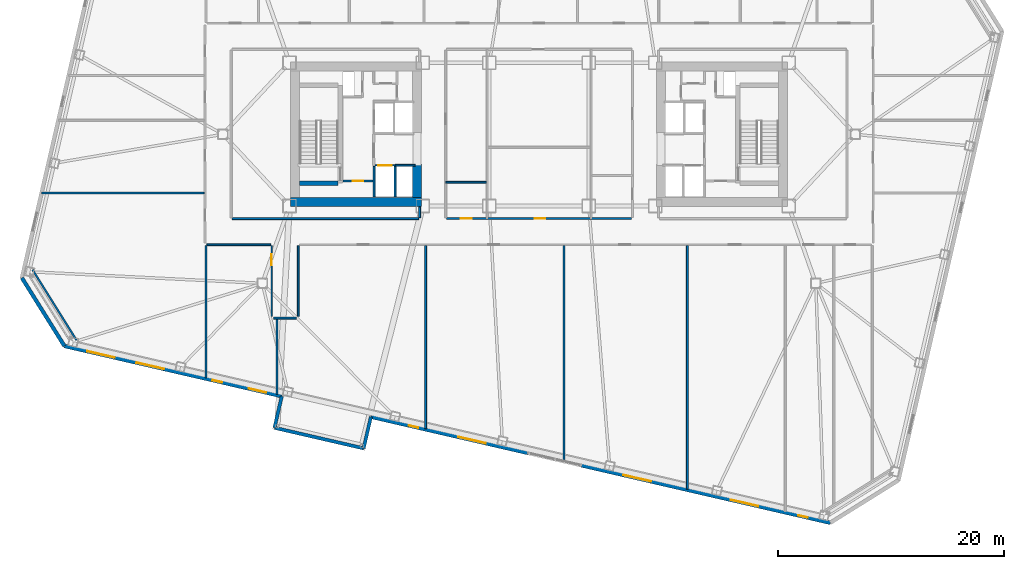
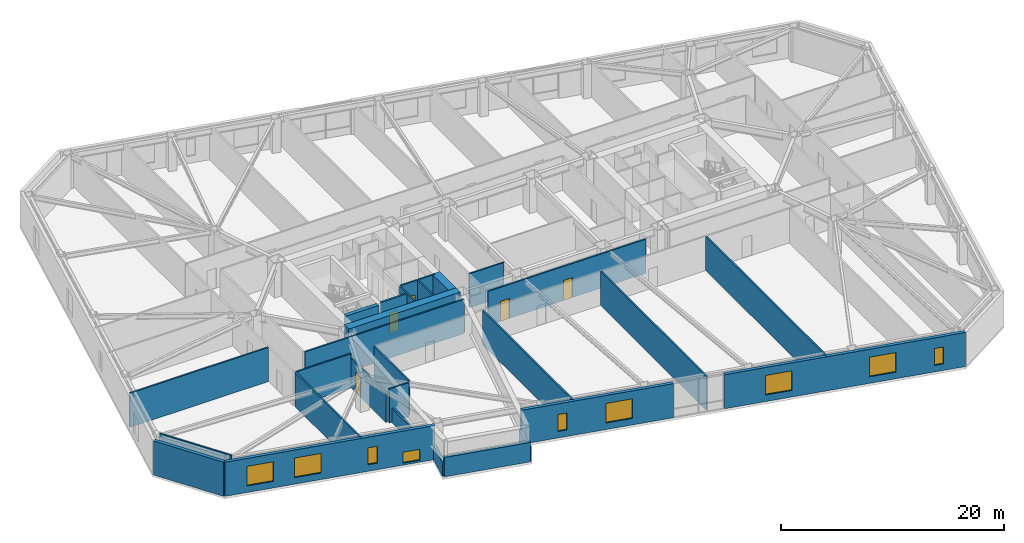
# One storey, part 8 of 18: 30 walls, 9 windows, 5 doors, 14 openings.
"""IFC4 building model written with IfcOpenShell, lengths in metres."""

from ifc_helpers import new_model, si_unit, direction, frame, frame_2d, origin, place, context, subcontext, project, spatial, rectangle, extrude, material, layer, layer_set, type_object, element, fill, save


model = new_model("IFC4")

# Units and contexts
model_context = context("Model", 3, precision=1e-05, world=origin(), true_north=direction((0.0, 1.0)))
body_context = subcontext(model_context, "Body", "Model", "MODEL_VIEW")
ifc_project = project(units=[si_unit("LENGTHUNIT", "METRE"), si_unit("AREAUNIT", "SQUARE_METRE"), si_unit("VOLUMEUNIT", "CUBIC_METRE"), si_unit("PLANEANGLEUNIT", "RADIAN"), si_unit("MASSUNIT", "GRAM", prefix="KILO")], contexts=[model_context])

# Site, building, storey
site_placement = place(None, origin())
site = spatial("IfcSite", under=ifc_project, at=site_placement, CompositionType="ELEMENT")
building_placement = place(site_placement, origin())
building = spatial("IfcBuilding", under=site, at=building_placement, Name="Tavrogorsk Clinical Tower", CompositionType="ELEMENT")
storey_placement = place(building_placement, frame((0.0, 0.0, 47.39990234375)))
storey = spatial("IfcBuildingStorey", under=building, at=storey_placement, Name="L09", CompositionType="ELEMENT", Elevation=47.39990234375)

# Wall, opening, door
ifc_material_1 = material(Name="Concrete B60", Category="concrete")
ifc_layer_1 = layer(ifc_material_1, 0.199951171875)
ifc_layer_set_1 = layer_set([ifc_layer_1], Name="Concrete B60")
wall_type_1 = type_object("IfcWallType", Name="CoreFireWall_200", PredefinedType="SOLIDWALL", material=ifc_layer_set_1)
wall_1_placement = place(storey_placement, frame((-17.3798828125, -4.139892578125, 0.0), z_axis=(0.0, 0.0, 1.0), x_axis=(1.0, 0.0, 0.0)))
wall_1 = element("IfcWall", 1, at=wall_1_placement, inside=storey, type_object=wall_type_1, Name="L09 Core West South Core Room Fire Wall", PredefinedType="SOLIDWALL", context=body_context, shape_type="SweptSolid", body=[
    extrude(rectangle(XDim=2.659912109375, YDim=0.199951171875, at=frame_2d((1.330078125, 0.0))), origin(), (0.0, 0.0, 1.0), 3.739990234375),
])
opening_1_placement = place(wall_1_placement, frame((0.8798828125, 0.0, 0.0)))
opening_1 = element("IfcOpeningElement", 2, at=opening_1_placement, cuts=wall_1, Name="Opening ID-02", PredefinedType="OPENING", context=body_context, shape_type="SweptSolid", body=[
    extrude(rectangle(XDim=0.949951171875, YDim=2.199951171875, at=frame_2d((0.47509765625, 1.10009765625))), frame((0.0, 0.10986328125, 0.0), z_axis=(0.0, -1.0, 0.0), x_axis=(1.0, 0.0, 0.0)), (0.0, 0.0, 1.0), 0.219970703125),
])
ifc_material_2 = material(Name="Laminated timber leaf on aluminium frame", Category="wood")
door_type_1 = type_object("IfcDoorType", Name="InteriorDoor_ID02_950", OperationType="NOTDEFINED", PredefinedType="DOOR", material=ifc_material_2)
door_1_placement = place(opening_1_placement, origin())
door_1 = element("IfcDoor", 3, at=door_1_placement, inside=storey, type_object=door_type_1, Name="L09 Core West South Core Room Door", OperationType="SINGLE_SWING_RIGHT", OverallHeight=2.199951171875, OverallWidth=0.949951171875, PredefinedType="DOOR", context=body_context, shape_type="SweptSolid", body=[
    extrude(rectangle(XDim=0.949951171875, YDim=2.199951171875, at=frame_2d((0.47509765625, 1.10009765625))), frame((0.0, 0.02490234375, 0.0), z_axis=(0.0, -1.0, 0.0), x_axis=(1.0, 0.0, 0.0)), (0.0, 0.0, 1.0), 0.050048828125),
])
fill(opening_1, door_1)

# Walls
ifc_material_3 = material(Name="Lightweight concrete blockwork B15", Category="masonry")
ifc_layer_2 = layer(ifc_material_3, 0.139892578125)
ifc_layer_set_2 = layer_set([ifc_layer_2], Name="Lightweight concrete blockwork B15")
wall_type_2 = type_object("IfcWallType", Name="PartitionWall_140", PredefinedType="PARTITIONING", material=ifc_layer_set_2)
wall_2_placement = place(storey_placement, frame((-8.264892578125, -4.25, 0.0), z_axis=(0.0, 0.0, 1.0), x_axis=(1.0, 0.0, 0.0)))
element("IfcWall", 4, at=wall_2_placement, inside=storey, type_object=wall_type_2, Name="L09 Central Spine Partition 4", PredefinedType="PARTITIONING", context=body_context, shape_type="SweptSolid", body=[
    extrude(rectangle(XDim=3.58984375, YDim=0.139892578125, at=frame_2d((1.794921875, 0.0))), origin(), (0.0, 0.0, 1.0), 3.739990234375),
])
ifc_material_4 = material(Name="Lightweight concrete blockwork B15", Category="masonry")
ifc_layer_3 = layer(ifc_material_4, 0.159912109375)
ifc_layer_set_3 = layer_set([ifc_layer_3], Name="Lightweight concrete blockwork B15")
wall_type_3 = type_object("IfcWallType", Name="PartitionWall_160", PredefinedType="PARTITIONING", material=ifc_layer_set_3)
wall_3_placement = place(storey_placement, frame((-44.85986328125, -11.9892578125, 0.0), z_axis=(0.0, 0.0, 1.0), x_axis=(0.52991239767, -0.848052386823, 0.0)))
element("IfcWall", 5, at=wall_3_placement, inside=storey, type_object=wall_type_3, Name="L09 Corner Exoskeleton Brace Furring Wall 4", PredefinedType="PARTITIONING", context=body_context, shape_type="SweptSolid", body=[
    extrude(rectangle(XDim=7.35400390625, YDim=0.159912109375, at=frame_2d((3.677001953125, 0.0))), origin(), (0.0, 0.0, 1.0), 3.739990234375),
])
wall_4_placement = place(storey_placement, frame((-23.764892578125, -9.780029296875, 0.0), z_axis=(0.0, 0.0, 1.0), x_axis=(-1.0, 0.0, 0.0)))
element("IfcWall", 6, at=wall_4_placement, inside=storey, type_object=wall_type_3, Name="L09 Corridor Partition 01", PredefinedType="PARTITIONING", context=body_context, shape_type="SweptSolid", body=[
    extrude(rectangle(XDim=5.650146484375, YDim=0.159912109375, at=frame_2d((2.8251953125, 0.0))), origin(), (0.0, 0.0, 1.0), 3.739990234375),
])
wall_5_placement = place(storey_placement, frame((-21.320068359375, -9.864990234375, 0.0), z_axis=(0.0, 0.0, 1.0), x_axis=(0.0, -1.0, 0.0)))
element("IfcWall", 7, at=wall_5_placement, inside=storey, type_object=wall_type_3, Name="L09 Corridor Partition 06", PredefinedType="PARTITIONING", context=body_context, shape_type="SweptSolid", body=[
    extrude(rectangle(XDim=6.25, YDim=0.159912109375, at=frame_2d((3.125, 0.0))), origin(), (0.0, 0.0, 1.0), 3.739990234375),
])
wall_6_placement = place(storey_placement, frame((-21.485107421875, -16.280029296875, 0.0), z_axis=(0.0, 0.0, 1.0), x_axis=(-1.0, 0.0, 0.0)))
element("IfcWall", 8, at=wall_6_placement, inside=storey, type_object=wall_type_3, Name="L09 Corridor Partition 07", PredefinedType="PARTITIONING", context=body_context, shape_type="SweptSolid", body=[
    extrude(rectangle(XDim=2.02978515625, YDim=0.159912109375, at=frame_2d((1.014892578125, 0.0))), origin(), (0.0, 0.0, 1.0), 3.739990234375),
])

# Wall, opening, door
wall_7_placement = place(storey_placement, frame((-23.679931640625, -16.114990234375, 0.0), z_axis=(0.0, 0.0, 1.0), x_axis=(0.0, 1.0, 0.0)))
wall_7 = element("IfcWall", 9, at=wall_7_placement, inside=storey, type_object=wall_type_3, Name="L09 Corridor Partition 08", PredefinedType="PARTITIONING", context=body_context, shape_type="SweptSolid", body=[
    extrude(rectangle(XDim=6.25, YDim=0.159912109375, at=frame_2d((3.125, 0.0))), origin(), (0.0, 0.0, 1.0), 3.235107421875),
])
opening_2_placement = place(wall_7_placement, frame((4.534912109375, 0.0, 0.0)))
opening_2 = element("IfcOpeningElement", 10, at=opening_2_placement, cuts=wall_7, Name="Opening ID-02", PredefinedType="OPENING", context=body_context, shape_type="SweptSolid", body=[
    extrude(rectangle(XDim=0.949951171875, YDim=2.199951171875, at=frame_2d((0.47509765625, 1.10009765625))), frame((0.0, 0.08984375, 0.0), z_axis=(0.0, -1.0, 0.0), x_axis=(1.0, 0.0, 0.0)), (0.0, 0.0, 1.0), 0.179931640625),
])
door_2_placement = place(opening_2_placement, origin())
door_2 = element("IfcDoor", 11, at=door_2_placement, inside=storey, type_object=door_type_1, Name="L09 South Nephrology Consultation Office 01 Door", OperationType="SINGLE_SWING_RIGHT", OverallHeight=2.199951171875, OverallWidth=0.949951171875, PredefinedType="DOOR", context=body_context, shape_type="SweptSolid", body=[
    extrude(rectangle(XDim=0.949951171875, YDim=2.199951171875, at=frame_2d((0.47509765625, 1.10009765625))), frame((0.0, 0.02490234375, 0.0), z_axis=(0.0, -1.0, 0.0), x_axis=(1.0, 0.0, 0.0)), (0.0, 0.0, 1.0), 0.050048828125),
])
fill(opening_2, door_2)

# Wall, openings, doors
wall_8_placement = place(storey_placement, frame((-8.18505859375, -7.469970703125, 0.0), z_axis=(0.0, 0.0, 1.0), x_axis=(1.0, 0.0, 0.0)))
wall_8 = element("IfcWall", 12, at=wall_8_placement, inside=storey, type_object=wall_type_3, Name="L09 Corridor Partition 16", PredefinedType="PARTITIONING", context=body_context, shape_type="SweptSolid", body=[
    extrude(rectangle(XDim=16.3701171875, YDim=0.159912109375, at=frame_2d((8.18505859375, 0.0))), origin(), (0.0, 0.0, 1.0), 3.739990234375),
])
opening_3_placement = place(wall_8_placement, frame((1.254150390625, 0.0, 0.0)))
opening_3 = element("IfcOpeningElement", 13, at=opening_3_placement, cuts=wall_8, Name="Opening ID-02", PredefinedType="OPENING", context=body_context, shape_type="SweptSolid", body=[
    extrude(rectangle(XDim=0.949951171875, YDim=2.199951171875, at=frame_2d((0.47509765625, 1.10009765625))), frame((0.0, 0.08984375, 0.0), z_axis=(0.0, -1.0, 0.0), x_axis=(1.0, 0.0, 0.0)), (0.0, 0.0, 1.0), 0.179931640625),
])
opening_4_placement = place(wall_8_placement, frame((7.794921875, 0.0, 0.0)))
opening_4 = element("IfcOpeningElement", 14, at=opening_4_placement, cuts=wall_8, Name="Opening ID-02", PredefinedType="OPENING", context=body_context, shape_type="SweptSolid", body=[
    extrude(rectangle(XDim=0.949951171875, YDim=2.199951171875, at=frame_2d((0.47509765625, 1.10009765625))), frame((0.0, 0.08984375, 0.0), z_axis=(0.0, -1.0, 0.0), x_axis=(1.0, 0.0, 0.0)), (0.0, 0.0, 1.0), 0.179931640625),
])
door_3_placement = place(opening_3_placement, origin())
door_3 = element("IfcDoor", 15, at=door_3_placement, inside=storey, type_object=door_type_1, Name="L09 Accessible Patient Lavatory Door", OperationType="SINGLE_SWING_LEFT", OverallHeight=2.199951171875, OverallWidth=0.949951171875, PredefinedType="DOOR", context=body_context, shape_type="SweptSolid", body=[
    extrude(rectangle(XDim=0.949951171875, YDim=2.199951171875, at=frame_2d((0.47509765625, 1.10009765625))), frame((0.0, 0.02490234375, 0.0), z_axis=(0.0, -1.0, 0.0), x_axis=(1.0, 0.0, 0.0)), (0.0, 0.0, 1.0), 0.050048828125),
])
fill(opening_3, door_3)
door_4_placement = place(opening_4_placement, origin())
door_4 = element("IfcDoor", 16, at=door_4_placement, inside=storey, type_object=door_type_1, Name="L09 Multidisciplinary Conference Room Door", OperationType="SINGLE_SWING_LEFT", OverallHeight=2.199951171875, OverallWidth=0.949951171875, PredefinedType="DOOR", context=body_context, shape_type="SweptSolid", body=[
    extrude(rectangle(XDim=0.949951171875, YDim=2.199951171875, at=frame_2d((0.47509765625, 1.10009765625))), frame((0.0, 0.02490234375, 0.0), z_axis=(0.0, -1.0, 0.0), x_axis=(1.0, 0.0, 0.0)), (0.0, 0.0, 1.0), 0.050048828125),
])
fill(opening_4, door_4)

# Walls
wall_9_placement = place(storey_placement, frame((-10.580078125, -7.385009765625, 0.0), z_axis=(0.0, 0.0, 1.0), x_axis=(0.0, 1.0, 0.0)))
element("IfcWall", 17, at=wall_9_placement, inside=storey, type_object=wall_type_3, Name="L09 Corridor Partition 18", PredefinedType="PARTITIONING", context=body_context, shape_type="SweptSolid", body=[
    extrude(rectangle(XDim=0.965087890625, YDim=0.159912109375, at=frame_2d((0.482421875, 0.0))), origin(), (0.0, 0.0, 1.0), 1.53515625),
])
wall_10_placement = place(storey_placement, frame((-27.18505859375, -7.469970703125, 0.0), z_axis=(0.0, 0.0, 1.0), x_axis=(1.0, 0.0, 0.0)))
element("IfcWall", 18, at=wall_10_placement, inside=storey, type_object=wall_type_3, Name="L09 Corridor Partition 22", PredefinedType="PARTITIONING", context=body_context, shape_type="SweptSolid", body=[
    extrude(rectangle(XDim=16.52001953125, YDim=0.159912109375, at=frame_2d((8.260009765625, 0.0))), origin(), (0.0, 0.0, 1.0), 3.739990234375),
])
wall_11_placement = place(storey_placement, frame((-29.5, -21.570556640625, 0.0), z_axis=(0.0, 0.0, 1.0), x_axis=(0.0, 1.0, 0.0)))
element("IfcWall", 19, at=wall_11_placement, inside=storey, type_object=wall_type_3, Name="L09 SW Wing Closure Partition", PredefinedType="PARTITIONING", context=body_context, shape_type="SweptSolid", body=[
    extrude(rectangle(XDim=11.70556640625, YDim=0.159912109375, at=frame_2d((5.852783203125, 0.0))), origin(), (0.0, 0.0, 1.0), 3.739990234375),
])
wall_12_placement = place(storey_placement, frame((-23.199951171875, -23.02490234375, 0.0), z_axis=(0.0, 0.0, 1.0), x_axis=(0.0, 1.0, 0.0)))
element("IfcWall", 20, at=wall_12_placement, inside=storey, type_object=wall_type_3, Name="L09 South Room Partition 1", PredefinedType="PARTITIONING", context=body_context, shape_type="SweptSolid", body=[
    extrude(rectangle(XDim=6.739990234375, YDim=0.159912109375, at=frame_2d((3.3701171875, 0.0))), origin(), (0.0, 0.0, 1.0), 1.53515625),
])
wall_13_placement = place(storey_placement, frame((2.199951171875, -28.88916015625, 0.0), z_axis=(0.0, 0.0, 1.0), x_axis=(0.0, 1.0, 0.0)))
element("IfcWall", 21, at=wall_13_placement, inside=storey, type_object=wall_type_3, Name="L09 South Room Partition 2", PredefinedType="PARTITIONING", context=body_context, shape_type="SweptSolid", body=[
    extrude(rectangle(XDim=19.024169921875, YDim=0.159912109375, at=frame_2d((9.51220703125, 0.0))), origin(), (0.0, 0.0, 1.0), 3.739990234375),
])
wall_14_placement = place(storey_placement, frame((-10.050048828125, -26.060791015625, 0.0), z_axis=(0.0, 0.0, 1.0), x_axis=(0.0, 1.0, 0.0)))
element("IfcWall", 22, at=wall_14_placement, inside=storey, type_object=wall_type_3, Name="L09 South Sub-Partition 2", PredefinedType="PARTITIONING", context=body_context, shape_type="SweptSolid", body=[
    extrude(rectangle(XDim=16.19580078125, YDim=0.159912109375, at=frame_2d((8.097900390625, 0.0))), origin(), (0.0, 0.0, 1.0), 3.739990234375),
])
wall_15_placement = place(storey_placement, frame((13.1298828125, -31.41259765625, 0.0), z_axis=(0.0, 0.0, 1.0), x_axis=(0.0, 1.0, 0.0)))
element("IfcWall", 23, at=wall_15_placement, inside=storey, type_object=wall_type_3, Name="L09 South Sub-Partition 3", PredefinedType="PARTITIONING", context=body_context, shape_type="SweptSolid", body=[
    extrude(rectangle(XDim=21.547607421875, YDim=0.159912109375, at=frame_2d((10.77392578125, 0.0))), origin(), (0.0, 0.0, 1.0), 3.739990234375),
])
wall_16_placement = place(storey_placement, frame((-44.0419921875, -5.199951171875, 0.0), z_axis=(0.0, 0.0, 1.0), x_axis=(1.0, 0.0, 0.0)))
element("IfcWall", 24, at=wall_16_placement, inside=storey, type_object=wall_type_3, Name="L09 W Wing Divider 1", PredefinedType="PARTITIONING", context=body_context, shape_type="SweptSolid", body=[
    extrude(rectangle(XDim=14.376953125, YDim=0.159912109375, at=frame_2d((7.1884765625, 0.0))), origin(), (0.0, 0.0, 1.0), 3.739990234375),
])

# Wall, openings, windows
ifc_material_5 = material(Name="Precast concrete B45 with limestone cladding", Category="masonry")
ifc_layer_4 = layer(ifc_material_5, 0.340087890625)
ifc_layer_set_4 = layer_set([ifc_layer_4], Name="Precast concrete B45 with limestone cladding")
wall_type_4 = type_object("IfcWallType", Name="PrecastLimestoneWall_340", PredefinedType="STANDARD", material=ifc_layer_set_4)
wall_17_placement = place(storey_placement, frame((-42.028564453125, -18.75, 0.0), z_axis=(0.0, 0.0, 1.0), x_axis=(0.974371399361, -0.224945273581, 0.0)))
wall_17 = element("IfcWall", 25, at=wall_17_placement, inside=storey, type_object=wall_type_4, Name="L09 S Limestone Facade Wall 1", PredefinedType="STANDARD", context=body_context, shape_type="SweptSolid", body=[
    extrude(rectangle(XDim=19.749755859375, YDim=0.340087890625, at=frame_2d((9.875, 0.0))), origin(), (0.0, 0.0, 1.0), 3.739990234375),
])
opening_5_placement = place(wall_17_placement, frame((2.06201171875, 0.0, 0.719970703125)))
opening_5 = element("IfcOpeningElement", 26, at=opening_5_placement, cuts=wall_17, Name="Opening WN-11", PredefinedType="OPENING", context=body_context, shape_type="SweptSolid", body=[
    extrude(rectangle(XDim=2.5, YDim=2.14990234375, at=frame_2d((1.25, 1.074951171875))), frame((0.0, 0.179931640625, 0.0), z_axis=(0.0, -1.0, 0.0), x_axis=(1.0, 0.0, 0.0)), (0.0, 0.0, 1.0), 0.360107421875),
])
opening_6_placement = place(wall_17_placement, frame((6.54638671875, 0.0, 0.719970703125)))
opening_6 = element("IfcOpeningElement", 27, at=opening_6_placement, cuts=wall_17, Name="Opening WN-11", PredefinedType="OPENING", context=body_context, shape_type="SweptSolid", body=[
    extrude(rectangle(XDim=2.5, YDim=2.14990234375, at=frame_2d((1.25, 1.074951171875))), frame((0.0, 0.179931640625, 0.0), z_axis=(0.0, -1.0, 0.0), x_axis=(1.0, 0.0, 0.0)), (0.0, 0.0, 1.0), 0.360107421875),
])
opening_7_placement = place(wall_17_placement, frame((13.460693359375, 0.0, 0.719970703125)))
opening_7 = element("IfcOpeningElement", 28, at=opening_7_placement, cuts=wall_17, Name="Opening WN-06", PredefinedType="OPENING", context=body_context, shape_type="SweptSolid", body=[
    extrude(rectangle(XDim=0.85009765625, YDim=1.85009765625, at=frame_2d((0.425048828125, 0.925048828125))), frame((0.0, 0.179931640625, 0.0), z_axis=(0.0, -1.0, 0.0), x_axis=(1.0, 0.0, 0.0)), (0.0, 0.0, 1.0), 0.360107421875),
])
opening_8_placement = place(wall_17_placement, frame((16.7451171875, 0.0, 0.219970703125)))
opening_8 = element("IfcOpeningElement", 29, at=opening_8_placement, cuts=wall_17, Name="Opening WN-09", PredefinedType="OPENING", context=body_context, shape_type="SweptSolid", body=[
    extrude(rectangle(XDim=1.60009765625, YDim=1.199951171875, at=frame_2d((0.800048828125, 0.60009765625))), frame((0.0, 0.179931640625, 0.0), z_axis=(0.0, -1.0, 0.0), x_axis=(1.0, 0.0, 0.0)), (0.0, 0.0, 1.0), 0.360107421875),
])
ifc_material_6 = material(Name="Thermally broken aluminium frame and triple IGU", Category="aluminium")
window_type_1 = type_object("IfcWindowType", Name="LowHeadTransWin_1600x1200", PartitioningType="DOUBLE_PANEL_VERTICAL", PredefinedType="WINDOW", material=ifc_material_6)
window_1_placement = place(opening_8_placement, origin())
window_1 = element("IfcWindow", 30, at=window_1_placement, inside=storey, type_object=window_type_1, Name="L09 S Chicago Window 04", OverallHeight=1.199951171875, OverallWidth=1.60009765625, PartitioningType="SINGLE_PANEL", PredefinedType="WINDOW", context=body_context, shape_type="SweptSolid", body=[
    extrude(rectangle(XDim=1.60009765625, YDim=1.199951171875, at=frame_2d((0.800048828125, 0.60009765625))), frame((0.0, 0.030029296875, 0.0), z_axis=(0.0, -1.0, 0.0), x_axis=(1.0, 0.0, 0.0)), (0.0, 0.0, 1.0), 0.06005859375),
])
fill(opening_8, window_1)
ifc_material_7 = material(Name="Thermally broken aluminium frame and triple IGU", Category="aluminium")
window_type_2 = type_object("IfcWindowType", Name="MullionSubWin_850x1850", PartitioningType="SINGLE_PANEL", PredefinedType="WINDOW", material=ifc_material_7)
window_2_placement = place(opening_7_placement, origin())
window_2 = element("IfcWindow", 31, at=window_2_placement, inside=storey, type_object=window_type_2, Name="L09 S Mullion Split Window 03B", OverallHeight=1.85009765625, OverallWidth=0.85009765625, PartitioningType="SINGLE_PANEL", PredefinedType="WINDOW", context=body_context, shape_type="SweptSolid", body=[
    extrude(rectangle(XDim=0.85009765625, YDim=1.85009765625, at=frame_2d((0.425048828125, 0.925048828125))), frame((0.0, 0.030029296875, 0.0), z_axis=(0.0, -1.0, 0.0), x_axis=(1.0, 0.0, 0.0)), (0.0, 0.0, 1.0), 0.06005859375),
])
fill(opening_7, window_2)
ifc_material_8 = material(Name="Thermally broken aluminium frame and triple IGU", Category="aluminium")
window_type_3 = type_object("IfcWindowType", Name="StepDownWin_2500x2150", PartitioningType="TRIPLE_PANEL_HORIZONTAL", PredefinedType="WINDOW", material=ifc_material_8)
window_3_placement = place(opening_5_placement, origin())
window_3 = element("IfcWindow", 32, at=window_3_placement, inside=storey, type_object=window_type_3, Name="L09 S Chicago Window 01", OverallHeight=2.14990234375, OverallWidth=2.5, PartitioningType="SINGLE_PANEL", PredefinedType="WINDOW", context=body_context, shape_type="SweptSolid", body=[
    extrude(rectangle(XDim=2.5, YDim=2.14990234375, at=frame_2d((1.25, 1.074951171875))), frame((0.0, 0.030029296875, 0.0), z_axis=(0.0, -1.0, 0.0), x_axis=(1.0, 0.0, 0.0)), (0.0, 0.0, 1.0), 0.06005859375),
])
fill(opening_5, window_3)
window_4_placement = place(opening_6_placement, origin())
window_4 = element("IfcWindow", 33, at=window_4_placement, inside=storey, type_object=window_type_3, Name="L09 S Chicago Window 02", OverallHeight=2.14990234375, OverallWidth=2.5, PartitioningType="SINGLE_PANEL", PredefinedType="WINDOW", context=body_context, shape_type="SweptSolid", body=[
    extrude(rectangle(XDim=2.5, YDim=2.14990234375, at=frame_2d((1.25, 1.074951171875))), frame((0.0, 0.030029296875, 0.0), z_axis=(0.0, -1.0, 0.0), x_axis=(1.0, 0.0, 0.0)), (0.0, 0.0, 1.0), 0.06005859375),
])
fill(opening_6, window_4)

wall_18_placement = place(storey_placement, frame((-14.892333984375, -25.014892578125, 0.0), z_axis=(0.0, 0.0, 1.0), x_axis=(0.974372775, -0.224939314791, 0.0)))
wall_18 = element("IfcWall", 34, at=wall_18_placement, inside=storey, type_object=wall_type_4, Name="L09 S Limestone Facade Wall 2", PredefinedType="STANDARD", context=body_context, shape_type="SweptSolid", body=[
    extrude(rectangle(XDim=14.298583984375, YDim=0.340087890625, at=frame_2d((7.1494140625, 0.0))), origin(), (0.0, 0.0, 1.0), 3.739990234375),
])
opening_9_placement = place(wall_18_placement, frame((3.457763671875, 0.0, 0.719970703125)))
opening_9 = element("IfcOpeningElement", 35, at=opening_9_placement, cuts=wall_18, Name="Opening WN-06", PredefinedType="OPENING", context=body_context, shape_type="SweptSolid", body=[
    extrude(rectangle(XDim=0.85009765625, YDim=1.85009765625, at=frame_2d((0.425048828125, 0.925048828125))), frame((0.0, 0.179931640625, 0.0), z_axis=(0.0, -1.0, 0.0), x_axis=(1.0, 0.0, 0.0)), (0.0, 0.0, 1.0), 0.360107421875),
])
opening_10_placement = place(wall_18_placement, frame((7.942138671875, 0.0, 0.719970703125)))
opening_10 = element("IfcOpeningElement", 36, at=opening_10_placement, cuts=wall_18, Name="Opening WN-11", PredefinedType="OPENING", context=body_context, shape_type="SweptSolid", body=[
    extrude(rectangle(XDim=2.5, YDim=2.14990234375, at=frame_2d((1.25, 1.074951171875))), frame((0.0, 0.179931640625, 0.0), z_axis=(0.0, -1.0, 0.0), x_axis=(1.0, 0.0, 0.0)), (0.0, 0.0, 1.0), 0.360107421875),
])
window_5_placement = place(opening_9_placement, origin())
window_5 = element("IfcWindow", 37, at=window_5_placement, inside=storey, type_object=window_type_2, Name="L09 S Mullion Split Window 05A", OverallHeight=1.85009765625, OverallWidth=0.85009765625, PartitioningType="SINGLE_PANEL", PredefinedType="WINDOW", context=body_context, shape_type="SweptSolid", body=[
    extrude(rectangle(XDim=0.85009765625, YDim=1.85009765625, at=frame_2d((0.425048828125, 0.925048828125))), frame((0.0, 0.030029296875, 0.0), z_axis=(0.0, -1.0, 0.0), x_axis=(1.0, 0.0, 0.0)), (0.0, 0.0, 1.0), 0.06005859375),
])
fill(opening_9, window_5)
window_6_placement = place(opening_10_placement, origin())
window_6 = element("IfcWindow", 38, at=window_6_placement, inside=storey, type_object=window_type_3, Name="L09 S Chicago Window 06", OverallHeight=2.14990234375, OverallWidth=2.5, PartitioningType="SINGLE_PANEL", PredefinedType="WINDOW", context=body_context, shape_type="SweptSolid", body=[
    extrude(rectangle(XDim=2.5, YDim=2.14990234375, at=frame_2d((1.25, 1.074951171875))), frame((0.0, 0.030029296875, 0.0), z_axis=(0.0, -1.0, 0.0), x_axis=(1.0, 0.0, 0.0)), (0.0, 0.0, 1.0), 0.06005859375),
])
fill(opening_10, window_6)

wall_19_placement = place(storey_placement, frame((3.716796875, -29.31103515625, 0.0), z_axis=(0.0, 0.0, 1.0), x_axis=(0.97436993772, -0.224951604723, 0.0)))
wall_19 = element("IfcWall", 39, at=wall_19_placement, inside=storey, type_object=wall_type_4, Name="L09 S Limestone Facade Wall 3", PredefinedType="STANDARD", context=body_context, shape_type="SweptSolid", body=[
    extrude(rectangle(XDim=22.6513671875, YDim=0.340087890625, at=frame_2d((11.32568359375, 0.0))), origin(), (0.0, 0.0, 1.0), 3.739990234375),
])
opening_11_placement = place(wall_19_placement, frame((3.8564453125, 0.0, 0.719970703125)))
opening_11 = element("IfcOpeningElement", 40, at=opening_11_placement, cuts=wall_19, Name="Opening WN-11", PredefinedType="OPENING", context=body_context, shape_type="SweptSolid", body=[
    extrude(rectangle(XDim=2.5, YDim=2.14990234375, at=frame_2d((1.25, 1.074951171875))), frame((0.0, 0.179931640625, 0.0), z_axis=(0.0, -1.0, 0.0), x_axis=(1.0, 0.0, 0.0)), (0.0, 0.0, 1.0), 0.360107421875),
])
opening_12_placement = place(wall_19_placement, frame((13.60498046875, 0.0, 0.719970703125)))
opening_12 = element("IfcOpeningElement", 41, at=opening_12_placement, cuts=wall_19, Name="Opening WN-11", PredefinedType="OPENING", context=body_context, shape_type="SweptSolid", body=[
    extrude(rectangle(XDim=2.5, YDim=2.14990234375, at=frame_2d((1.25, 1.074951171875))), frame((0.0, 0.179931640625, 0.0), z_axis=(0.0, -1.0, 0.0), x_axis=(1.0, 0.0, 0.0)), (0.0, 0.0, 1.0), 0.360107421875),
])
opening_13_placement = place(wall_19_placement, frame((19.7392578125, 0.0, 0.719970703125)))
opening_13 = element("IfcOpeningElement", 42, at=opening_13_placement, cuts=wall_19, Name="Opening WN-06", PredefinedType="OPENING", context=body_context, shape_type="SweptSolid", body=[
    extrude(rectangle(XDim=0.85009765625, YDim=1.85009765625, at=frame_2d((0.425048828125, 0.925048828125))), frame((0.0, 0.179931640625, 0.0), z_axis=(0.0, -1.0, 0.0), x_axis=(1.0, 0.0, 0.0)), (0.0, 0.0, 1.0), 0.360107421875),
])
window_7_placement = place(opening_13_placement, origin())
window_7 = element("IfcWindow", 43, at=window_7_placement, inside=storey, type_object=window_type_2, Name="L09 S Mullion Split Window 10B", OverallHeight=1.85009765625, OverallWidth=0.85009765625, PartitioningType="SINGLE_PANEL", PredefinedType="WINDOW", context=body_context, shape_type="SweptSolid", body=[
    extrude(rectangle(XDim=0.85009765625, YDim=1.85009765625, at=frame_2d((0.425048828125, 0.925048828125))), frame((0.0, 0.030029296875, 0.0), z_axis=(0.0, -1.0, 0.0), x_axis=(1.0, 0.0, 0.0)), (0.0, 0.0, 1.0), 0.06005859375),
])
fill(opening_13, window_7)
window_8_placement = place(opening_11_placement, origin())
window_8 = element("IfcWindow", 44, at=window_8_placement, inside=storey, type_object=window_type_3, Name="L09 S Chicago Window 07", OverallHeight=2.14990234375, OverallWidth=2.5, PartitioningType="SINGLE_PANEL", PredefinedType="WINDOW", context=body_context, shape_type="SweptSolid", body=[
    extrude(rectangle(XDim=2.5, YDim=2.14990234375, at=frame_2d((1.25, 1.074951171875))), frame((0.0, 0.030029296875, 0.0), z_axis=(0.0, -1.0, 0.0), x_axis=(1.0, 0.0, 0.0)), (0.0, 0.0, 1.0), 0.06005859375),
])
fill(opening_11, window_8)
window_9_placement = place(opening_12_placement, origin())
window_9 = element("IfcWindow", 45, at=window_9_placement, inside=storey, type_object=window_type_3, Name="L09 S Chicago Window 09", OverallHeight=2.14990234375, OverallWidth=2.5, PartitioningType="SINGLE_PANEL", PredefinedType="WINDOW", context=body_context, shape_type="SweptSolid", body=[
    extrude(rectangle(XDim=2.5, YDim=2.14990234375, at=frame_2d((1.25, 1.074951171875))), frame((0.0, 0.030029296875, 0.0), z_axis=(0.0, -1.0, 0.0), x_axis=(1.0, 0.0, 0.0)), (0.0, 0.0, 1.0), 0.06005859375),
])
fill(opening_12, window_9)

# Walls
wall_20_placement = place(storey_placement, frame((-45.798095703125, -12.71728515625, 0.0), z_axis=(0.0, 0.0, 1.0), x_axis=(0.529906387556, -0.848056142261, 0.0)))
element("IfcWall", 46, at=wall_20_placement, inside=storey, type_object=wall_type_4, Name="L09 Chamfered Corner Wall 4", PredefinedType="STANDARD", context=body_context, shape_type="SweptSolid", body=[
    extrude(rectangle(XDim=7.113525390625, YDim=0.340087890625, at=frame_2d((3.556640625, 0.0))), origin(), (0.0, 0.0, 1.0), 3.739990234375),
])
wall_21_placement = place(storey_placement, frame((-23.430419921875, -25.9892578125, 0.0), z_axis=(0.0, 0.0, 1.0), x_axis=(0.974371888243, -0.224943155936, 0.0)))
element("IfcWall", 47, at=wall_21_placement, inside=storey, type_object=wall_type_4, Name="L09 Day-Room Limestone Front DRB-01", PredefinedType="STANDARD", context=body_context, shape_type="SweptSolid", body=[
    extrude(rectangle(XDim=8.099853515625, YDim=0.300048828125, at=frame_2d((4.0498046875, 0.0))), origin(), (0.0, 0.0, 1.0), 2.135009765625),
])

# Wall, opening, door
ifc_material_9 = material(Name="Lightweight concrete blockwork B25", Category="masonry")
ifc_layer_5 = layer(ifc_material_9, 0.159912109375)
ifc_layer_set_5 = layer_set([ifc_layer_5], Name="Lightweight concrete blockwork B25")
wall_type_5 = type_object("IfcWallType", Name="ShaftWall_160", PredefinedType="PARTITIONING", material=ifc_layer_set_5)
wall_22_placement = place(storey_placement, frame((-14.530029296875, -2.75, 0.0), z_axis=(0.0, 0.0, 1.0), x_axis=(1.0, 0.0, 0.0)))
wall_22 = element("IfcWall", 48, at=wall_22_placement, inside=storey, type_object=wall_type_5, Name="L09 LP-L1 Lift Shaft Portal Wall", PredefinedType="PARTITIONING", context=body_context, shape_type="SweptSolid", body=[
    extrude(rectangle(XDim=1.760009765625, YDim=0.159912109375, at=frame_2d((0.8798828125, 0.0))), origin(), (0.0, 0.0, 1.0), 3.739990234375),
])
opening_14_placement = place(wall_22_placement, frame((0.280029296875, 0.0, 0.0)))
opening_14 = element("IfcOpeningElement", 49, at=opening_14_placement, cuts=wall_22, Name="Opening LD", PredefinedType="OPENING", context=body_context, shape_type="SweptSolid", body=[
    extrude(rectangle(XDim=1.199951171875, YDim=2.199951171875, at=frame_2d((0.60009765625, 1.10009765625))), frame((0.0, 0.08984375, 0.0), z_axis=(0.0, -1.0, 0.0), x_axis=(1.0, 0.0, 0.0)), (0.0, 0.0, 1.0), 0.179931640625),
])
ifc_material_10 = material(Name="Brushed stainless steel AISI 304 sliding doors", Category="steel")
door_type_2 = type_object("IfcDoorType", Name="LiftLandingDoor_LD_1200", OperationType="SLIDING_TO_LEFT", PredefinedType="DOOR", material=ifc_material_10)
door_5_placement = place(opening_14_placement, origin())
door_5 = element("IfcDoor", 50, at=door_5_placement, inside=storey, type_object=door_type_2, Name="L09 LP-L1 Sliding Lift Landing Door", OperationType="SLIDING_TO_LEFT", OverallHeight=2.199951171875, OverallWidth=1.199951171875, PredefinedType="DOOR", context=body_context, shape_type="SweptSolid", body=[
    extrude(rectangle(XDim=1.199951171875, YDim=2.199951171875, at=frame_2d((0.60009765625, 1.10009765625))), frame((0.0, 0.02490234375, 0.0), z_axis=(0.0, -1.0, 0.0), x_axis=(1.0, 0.0, 0.0)), (0.0, 0.0, 1.0), 0.050048828125),
])
fill(opening_14, door_5)

# Walls
for number, where, z_axis, x_axis, name in (
    (51, (-12.75, -5.5400390625, 0.0), (0.0, 0.0, 1.0), (0.0, 1.0, 0.0), "L09 LP-L1 Lift Hoistway Divider Wall"),
    (52, (-14.610107421875, -5.5400390625, 0.0), (0.0, 0.0, 1.0), (0.0, 1.0, 0.0), "L09 LP-L1 Lift Hoistway Outer Cheek Wall"),
):
    element("IfcWall", number, at=place(storey_placement, frame(where, z_axis=z_axis, x_axis=x_axis)), inside=storey, type_object=wall_type_5, Name=name, PredefinedType="PARTITIONING", context=body_context, shape_type="SweptSolid", body=[
        extrude(rectangle(XDim=2.699951171875, YDim=0.159912109375, at=frame_2d((1.35009765625, 0.0))), origin(), (0.0, 0.0, 1.0), 3.739990234375),
    ])
wall_23_placement = place(storey_placement, frame((-12.72998046875, -2.75, 0.0), z_axis=(0.0, 0.0, 1.0), x_axis=(1.0, 0.0, 0.0)))
element("IfcWall", 53, at=wall_23_placement, inside=storey, type_object=wall_type_5, Name="L09 LP-M1 Lift Shaft Portal Wall", PredefinedType="PARTITIONING", context=body_context, shape_type="SweptSolid", body=[
    extrude(rectangle(XDim=1.760009765625, YDim=0.159912109375, at=frame_2d((0.8798828125, 0.0))), origin(), (0.0, 0.0, 1.0), 3.739990234375),
])
ifc_material_11 = material(Name="Concrete B80", Category="concrete")
ifc_layer_6 = layer(ifc_material_11, 0.39990234375)
ifc_layer_set_6 = layer_set([ifc_layer_6], Name="Concrete B80")
wall_type_6 = type_object("IfcWallType", Name="ShearWall_400", PredefinedType="SHEAR", material=ifc_layer_set_6)
wall_24_placement = place(storey_placement, frame((-21.199951171875, -4.324951171875, 0.0), z_axis=(0.0, 0.0, 1.0), x_axis=(1.0, 0.0, 0.0)))
element("IfcWall", 54, at=wall_24_placement, inside=storey, type_object=wall_type_6, Name="L09 Core West Stair Shaft South Shear Wall", PredefinedType="SHEAR", context=body_context, shape_type="SweptSolid", body=[
    extrude(rectangle(XDim=3.39990234375, YDim=0.39990234375, at=frame_2d((1.699951171875, 0.0))), origin(), (0.0, 0.0, 1.0), 3.739990234375),
])
ifc_material_12 = material(Name="Concrete B80", Category="concrete")
ifc_layer_7 = layer(ifc_material_12, 0.800048828125)
ifc_layer_set_7 = layer_set([ifc_layer_7], Name="Concrete B80")
wall_type_7 = type_object("IfcWallType", Name="ShearWall_800", PredefinedType="SHEAR", material=ifc_layer_set_7)
wall_25_placement = place(storey_placement, frame((-22.0, -6.0, 0.0), z_axis=(0.0, 0.0, 1.0), x_axis=(1.0, 0.0, 0.0)))
element("IfcWall", 55, at=wall_25_placement, inside=storey, type_object=wall_type_7, Name="L09 Core West South Shear Wall", PredefinedType="SHEAR", context=body_context, shape_type="SweptSolid", body=[
    extrude(rectangle(XDim=11.60009765625, YDim=0.800048828125, at=frame_2d((5.800048828125, 0.0))), origin(), (0.0, 0.0, 1.0), 3.739990234375),
])
wall_26_placement = place(storey_placement, frame((-10.800048828125, -5.60009765625, 0.0), z_axis=(0.0, 0.0, 1.0), x_axis=(0.0, 1.0, 0.0)))
element("IfcWall", 56, at=wall_26_placement, inside=storey, type_object=wall_type_7, Name="L09 Core West Inner South Pier", PredefinedType="SHEAR", context=body_context, shape_type="SweptSolid", body=[
    extrude(rectangle(XDim=2.9501953125, YDim=0.800048828125, at=frame_2d((1.47509765625, 0.0))), origin(), (0.0, 0.0, 1.0), 3.739990234375),
])
ifc_material_13 = material(Name="Precast concrete B45 with mineral wool", Category="concrete")
ifc_layer_8 = layer(ifc_material_13, 0.300048828125)
ifc_layer_set_8 = layer_set([ifc_layer_8], Name="Precast concrete B45 with mineral wool")
wall_type_8 = type_object("IfcWallType", Name="SpandrelBackWall_300", PredefinedType="STANDARD", material=ifc_layer_set_8)
wall_27_placement = place(storey_placement, frame((-22.78466796875, -23.192626953125, 0.0), z_axis=(0.0, 0.0, 1.0), x_axis=(-0.224983749842, -0.974362515857, 0.0)))
element("IfcWall", 57, at=wall_27_placement, inside=storey, type_object=wall_type_8, Name="L09 Day-Room Cheek Wall DRB-01-L", PredefinedType="STANDARD", context=body_context, shape_type="SweptSolid", body=[
    extrude(rectangle(XDim=2.8701171875, YDim=0.300048828125, at=frame_2d((1.43505859375, 0.0))), origin(), (0.0, 0.0, 1.0), 1.53515625),
])
wall_28_placement = place(storey_placement, frame((-14.892333984375, -25.014892578125, 0.0), z_axis=(0.0, 0.0, 1.0), x_axis=(-0.225002397841, -0.97435820978, 0.0)))
element("IfcWall", 58, at=wall_28_placement, inside=storey, type_object=wall_type_8, Name="L09 Day-Room Cheek Wall DRB-01-R", PredefinedType="STANDARD", context=body_context, shape_type="SweptSolid", body=[
    extrude(rectangle(XDim=2.869873046875, YDim=0.300048828125, at=frame_2d((1.43505859375, 0.0))), origin(), (0.0, 0.0, 1.0), 1.53515625),
])

save(model, "model.ifc")
